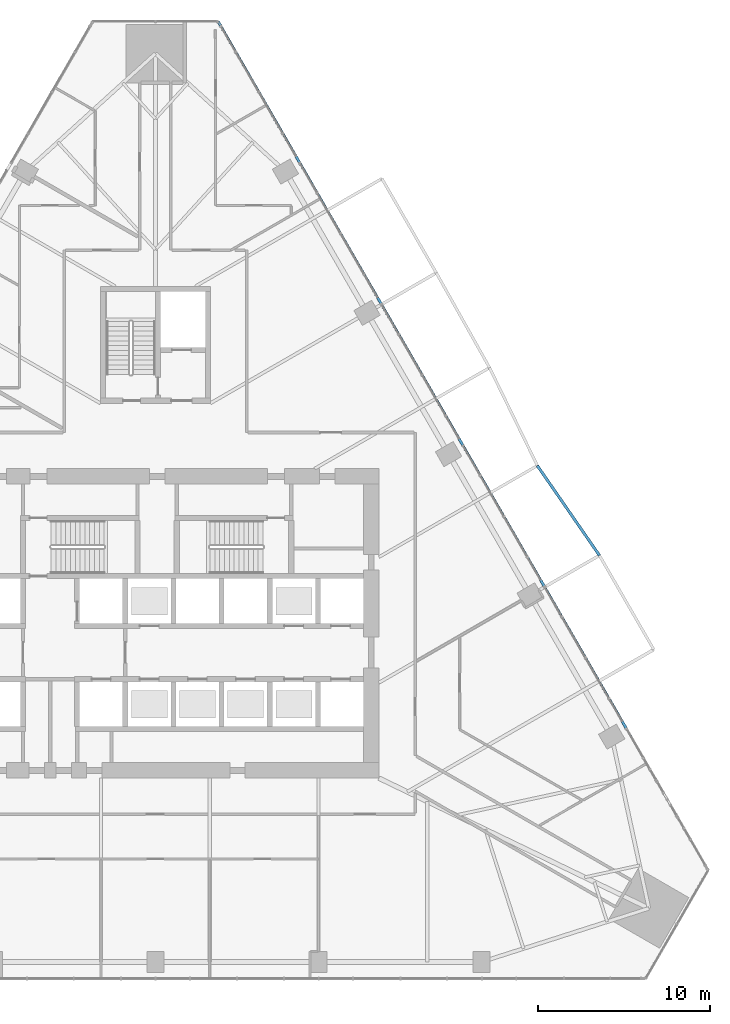
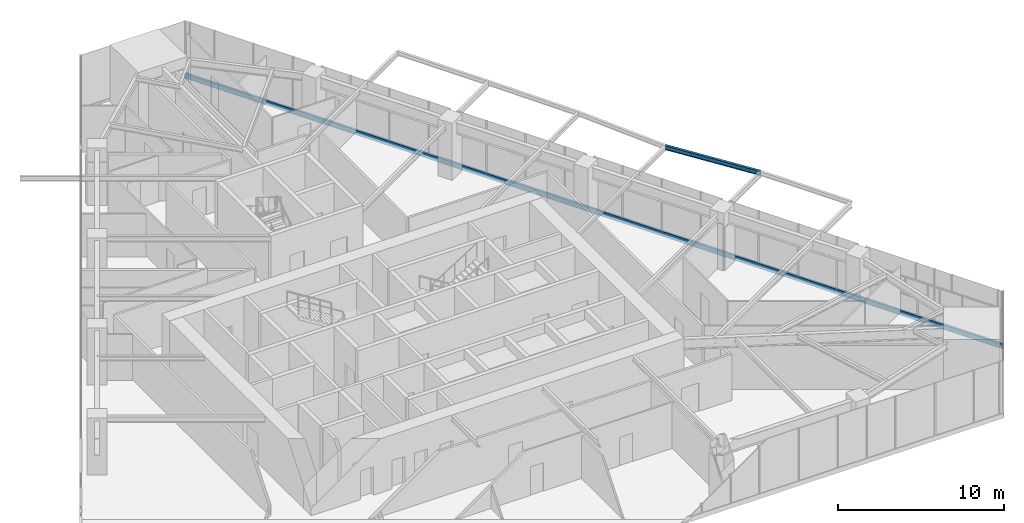
# One storey, part 9 of 26: 1 beam, 1 member, 1 element without a shape of its own.
"""IFC4 building model written with IfcOpenShell, lengths in metres."""

from ifc_helpers import new_model, si_unit, direction, frame, origin, origin_2d, place, context, subcontext, project, spatial, rectangle, i_section, extrude, material, layer, layer_set, material_profile, profile_set, type_object, element, aggregate, save


model = new_model("IFC4")

# Units and contexts
model_context = context("Model", 3, precision=1e-05, world=origin(), true_north=direction((0.0, 1.0)))
body_context = subcontext(model_context, "Body", "Model", "MODEL_VIEW")
ifc_project = project(units=[si_unit("LENGTHUNIT", "METRE"), si_unit("AREAUNIT", "SQUARE_METRE"), si_unit("VOLUMEUNIT", "CUBIC_METRE"), si_unit("PLANEANGLEUNIT", "RADIAN"), si_unit("MASSUNIT", "GRAM", prefix="KILO")], contexts=[model_context])

# Site, building, storey
site_placement = place(None, origin())
site = spatial("IfcSite", under=ifc_project, at=site_placement, CompositionType="ELEMENT")
building_placement = place(site_placement, origin())
building = spatial("IfcBuilding", under=site, at=building_placement, Name="Firuza Gate Tower and Library", CompositionType="ELEMENT")
storey_placement = place(building_placement, frame((0.0, 0.0, 77.800048828125)))
storey = spatial("IfcBuildingStorey", under=building, at=storey_placement, Name="L17", CompositionType="ELEMENT", Elevation=77.800048828125)

# Curtain wall, member
ifc_material_1 = material(Name="Aluminium 6063-T6", Category="aluminium")
ifc_layer = layer(ifc_material_1, 0.14990234375)
ifc_layer_set = layer_set([ifc_layer], Name="Unitised curtain wall, offices")
curtain_wall_type = type_object("IfcCurtainWallType", Name="Unitised curtain wall, offices", PredefinedType="NOTDEFINED", material=ifc_layer_set)
curtain_wall_placement = place(storey_placement, origin())
curtain_wall = element("IfcCurtainWall", 1, at=curtain_wall_placement, inside=storey, type_object=curtain_wall_type, Name="CW1 L17 E face", PredefinedType="NOTDEFINED")
ifc_material_2 = material(Name="Aluminium 6063-T6", Category="aluminium")
ifc_material_profile_1 = material_profile(ifc_material_2, rectangle(XDim=0.14990234375, YDim=0.35009765625, at=origin_2d()))
ifc_profile_set_1 = profile_set([ifc_material_profile_1], Name="Aluminium 6063-T6")
member_type = type_object("IfcMemberType", Name="Curtain wall transom 350x150", PredefinedType="USERDEFINED", material=ifc_profile_set_1)
member_placement = place(storey_placement, frame((107.142578125, 60.6494140625, -0.025146484375), z_axis=(-0.500000903099, 0.86602488238, 0.0), x_axis=(-0.86602488238, -0.500000903099, 0.0)))
member = element("IfcMember", 2, at=member_placement, type_object=member_type, Name="Transom", ObjectType="TRANSOM", PredefinedType="USERDEFINED", context=body_context, shape_type="SweptSolid", body=[
    extrude(rectangle(XDim=0.14990234375, YDim=0.35009765625, at=origin_2d()), origin(), (0.0, 0.0, 1.0), 56.99853515625),
])
aggregate(curtain_wall, [member])

# Beam
ifc_material_3 = material(Name="Steel S355", Category="steel")
ifc_material_profile_2 = material_profile(ifc_material_3, i_section(OverallWidth=0.1650390625, OverallDepth=0.31005859375, WebThickness=0.005859375, FlangeThickness=0.009765625, at=origin_2d()))
ifc_profile_set_2 = profile_set([ifc_material_profile_2], Name="Steel S355")
beam_type = type_object("IfcBeamType", Name="W310x39 Floor beam", PredefinedType="JOIST", material=ifc_profile_set_2)
beam_placement = place(storey_placement, frame((100.818115234375, 78.953369140625, 3.844970703125), z_axis=(-0.568809720557, 0.822469149452, 0.0), x_axis=(-0.822469149452, -0.568809720557, 0.0)))
element("IfcBeam", 3, at=beam_placement, inside=storey, type_object=beam_type, Name="Tray edge beam L17 s51-s52", PredefinedType="JOIST", context=body_context, shape_type="SweptSolid", body=[
    extrude(i_section(OverallWidth=0.1650390625, OverallDepth=0.31005859375, WebThickness=0.005859375, FlangeThickness=0.009765625, at=origin_2d()), origin(), (0.0, 0.0, 1.0), 6.3447265625),
])

save(model, "model.ifc")
